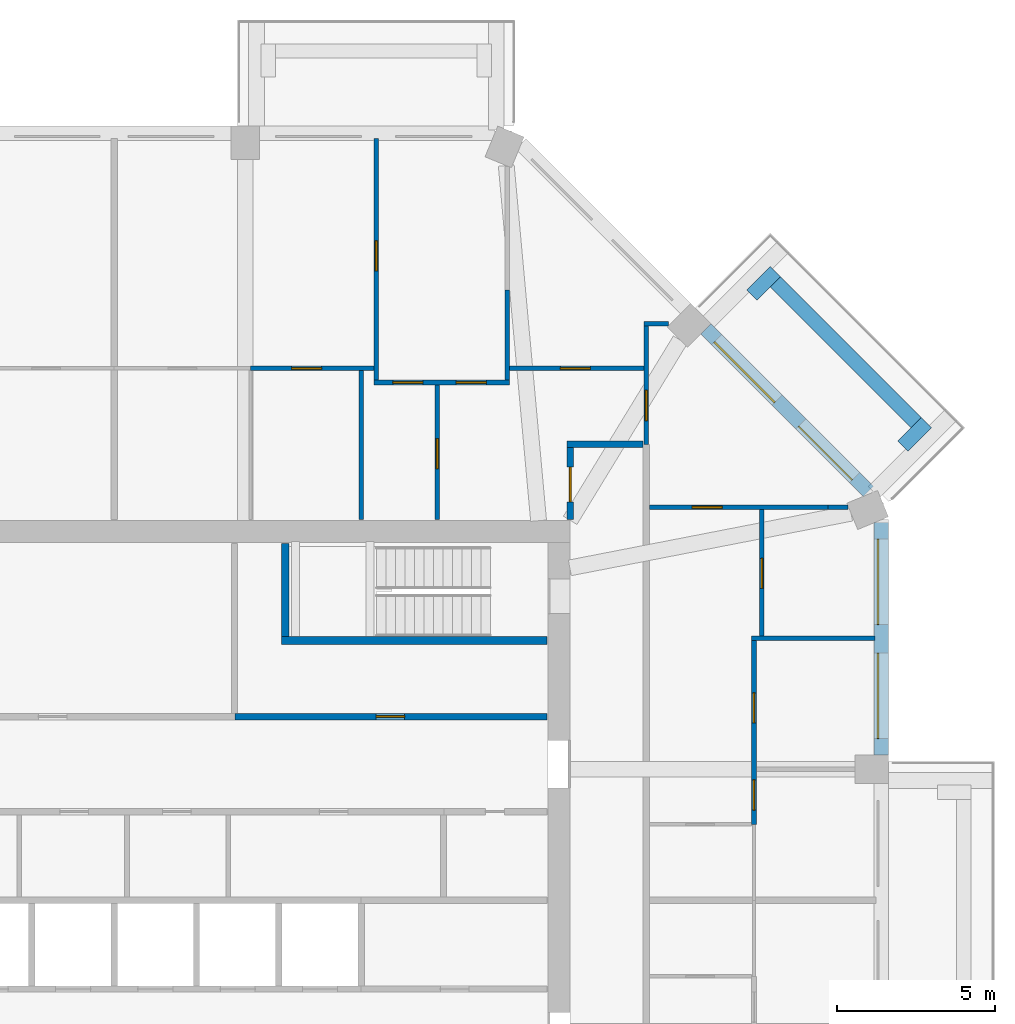
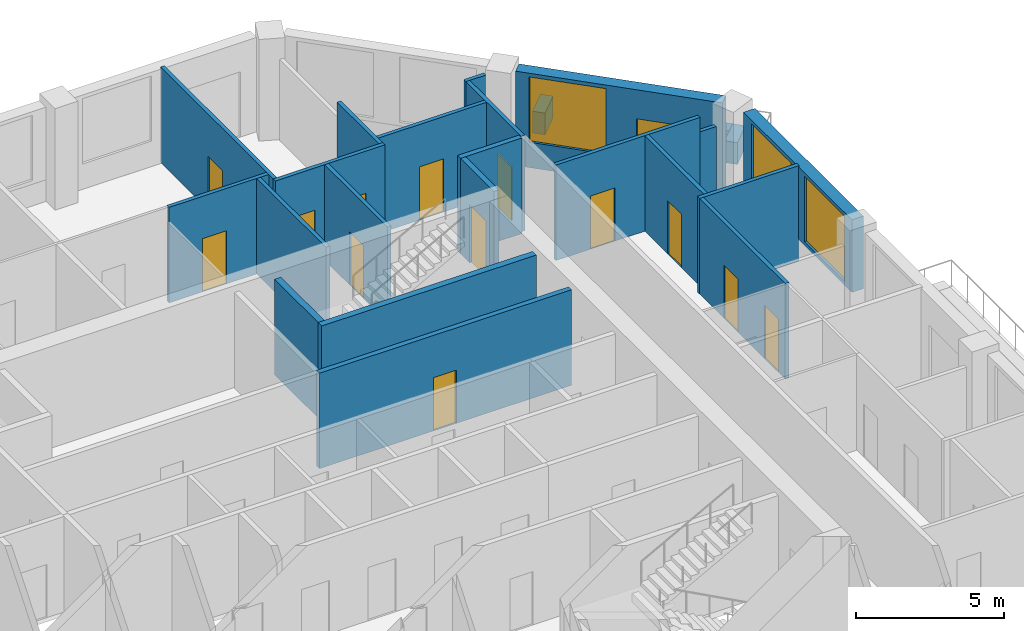
# One storey, part 9 of 12: 24 walls, 14 doors, 3 windows, 17 openings.
"""IFC4 building model written with IfcOpenShell, lengths in metres."""

from ifc_helpers import new_model, si_unit, direction, frame, frame_2d, origin, place, context, subcontext, project, spatial, rectangle, extrude, material, layer, layer_set, type_object, element, fill, save


model = new_model("IFC4")

# Units and contexts
model_context = context("Model", 3, precision=1e-05, world=origin(), true_north=direction((0.0, 1.0)))
body_context = subcontext(model_context, "Body", "Model", "MODEL_VIEW")
ifc_project = project(units=[si_unit("LENGTHUNIT", "METRE"), si_unit("AREAUNIT", "SQUARE_METRE"), si_unit("VOLUMEUNIT", "CUBIC_METRE"), si_unit("PLANEANGLEUNIT", "RADIAN"), si_unit("MASSUNIT", "GRAM", prefix="KILO")], contexts=[model_context])

# Site, building, storey
site_placement = place(None, origin())
site = spatial("IfcSite", under=ifc_project, at=site_placement, CompositionType="ELEMENT")
building_placement = place(site_placement, origin())
building = spatial("IfcBuilding", under=site, at=building_placement, Name="Msitu Wima Residences", CompositionType="ELEMENT")
storey_placement = place(building_placement, frame((0.0, 0.0, 174.89990234375)))
storey = spatial("IfcBuildingStorey", under=building, at=storey_placement, Name="L40", CompositionType="ELEMENT", Elevation=174.89990234375)

# Walls
ifc_material_1 = material(Name="Facing brick")
ifc_layer_1 = layer(ifc_material_1, 0.06494140625, Name="Facing brick")
ifc_material_2 = material(Name="Concrete C40/50", Category="concrete")
ifc_layer_2 = layer(ifc_material_2, 0.156005859375, Name="Concrete C40/50")
ifc_material_3 = material(Name="Waterproofing membrane")
ifc_layer_3 = layer(ifc_material_3, 0.00390625, Name="Waterproofing membrane")
ifc_material_4 = material(Name="Planting soil and planting")
ifc_layer_4 = layer(ifc_material_4, 0.22509765625, Name="Planting soil and planting")
ifc_layer_set_1 = layer_set([ifc_layer_1, ifc_layer_2, ifc_layer_3, ifc_layer_4], Name="Concrete C40/50")
wall_type_1 = type_object("IfcWallType", Name="Balcony planter PLANTER PL450", PredefinedType="USERDEFINED", material=ifc_layer_set_1)
wall_1_placement = place(storey_placement, frame((25.325927734375, 15.0810546875, 0.0), z_axis=(0.0, 0.0, 1.0), x_axis=(-0.707106781187, 0.707106781187, 0.0)))
element("IfcWall", 1, at=wall_1_placement, inside=storey, type_object=wall_type_1, Name="Balcony planter NE0 L40", ObjectType="PLANTER", PredefinedType="USERDEFINED", context=body_context, shape_type="SweptSolid", body=[
    extrude(rectangle(XDim=6.294189453125, YDim=0.449951171875, at=frame_2d((3.14697265625, 0.0))), origin(), (0.0, 0.0, 1.0), 0.900146484375),
])
for number, where, z_axis, x_axis, name in (
    (2, (24.901611328125, 14.338623046875, 0.0), (0.0, 0.0, 1.0), (0.707106781187, 0.707106781187, 0.0), "Balcony planter NE0 L40"),
    (3, (20.1328125, 19.107421875, 0.0), (0.0, 0.0, 1.0), (0.707106781187, 0.707106781187, 0.0), "Balcony planter NE0 L40"),
):
    element("IfcWall", number, at=place(storey_placement, frame(where, z_axis=z_axis, x_axis=x_axis)), inside=storey, type_object=wall_type_1, Name=name, ObjectType="PLANTER", PredefinedType="USERDEFINED", context=body_context, shape_type="SweptSolid", body=[
        extrude(rectangle(XDim=1.050048828125, YDim=0.449951171875, at=frame_2d((0.52490234375, 0.0))), origin(), (0.0, 0.0, 1.0), 0.900146484375),
    ])

# Wall, openings, windows
ifc_material_5 = material(Name="Brick (red buff mix)", Category="masonry")
ifc_layer_5 = layer(ifc_material_5, 0.449951171875)
ifc_layer_set_2 = layer_set([ifc_layer_5], Name="Brick (red buff mix)")
wall_type_2 = type_object("IfcWallType", Name="Brick infill wall BW450", PredefinedType="SOLIDWALL", material=ifc_layer_set_2)
wall_2_placement = place(storey_placement, frame((24.22509765625, 4.587158203125, 0.900146484375), z_axis=(0.0, 0.0, 1.0), x_axis=(0.0, 1.0, 0.0)))
wall_2 = element("IfcWall", 4, at=wall_2_placement, inside=storey, type_object=wall_type_2, Name="Brick infill wall L40 E2", PredefinedType="SOLIDWALL", context=body_context, shape_type="SweptSolid", body=[
    extrude(rectangle(XDim=7.337646484375, YDim=0.449951171875, at=frame_2d((3.6689453125, 0.0))), origin(), (0.0, 0.0, 1.0), 3.0),
])
opening_1_placement = place(wall_2_placement, frame((0.518798828125, 0.0, 0.14990234375)))
opening_1 = element("IfcOpeningElement", 5, at=opening_1_placement, cuts=wall_2, Name="Opening W40-42.004", PredefinedType="OPENING", context=body_context, shape_type="SweptSolid", body=[
    extrude(rectangle(XDim=2.699951171875, YDim=2.699951171875, at=frame_2d((1.35009765625, 1.35009765625))), frame((0.0, 0.23486328125, 0.0), z_axis=(0.0, -1.0, 0.0), x_axis=(1.0, 0.0, 0.0)), (0.0, 0.0, 1.0), 0.469970703125),
])
opening_2_placement = place(wall_2_placement, frame((4.11865234375, 0.0, 0.14990234375)))
opening_2 = element("IfcOpeningElement", 6, at=opening_2_placement, cuts=wall_2, Name="Opening W40-42.005", PredefinedType="OPENING", context=body_context, shape_type="SweptSolid", body=[
    extrude(rectangle(XDim=2.699951171875, YDim=2.699951171875, at=frame_2d((1.35009765625, 1.35009765625))), frame((0.0, 0.23486328125, 0.0), z_axis=(0.0, -1.0, 0.0), x_axis=(1.0, 0.0, 0.0)), (0.0, 0.0, 1.0), 0.469970703125),
])
ifc_material_6 = material(Name="Anodised aluminium, bronze finish, clear low-emissivity double glazing", Category="aluminium")
window_type = type_object("IfcWindowType", Name="Window W2700x2700", PartitioningType="DOUBLE_PANEL_VERTICAL", PredefinedType="WINDOW", material=ifc_material_6)
window_1_placement = place(opening_1_placement, origin())
window_1 = element("IfcWindow", 7, at=window_1_placement, inside=storey, type_object=window_type, Name="Window L40 E2.1", OverallHeight=2.699951171875, OverallWidth=2.699951171875, PartitioningType="SINGLE_PANEL", PredefinedType="WINDOW", context=body_context, shape_type="SweptSolid", body=[
    extrude(rectangle(XDim=2.699951171875, YDim=2.699951171875, at=frame_2d((1.35009765625, 1.35009765625))), frame((0.0, 0.135009765625, 0.0), z_axis=(0.0, -1.0, 0.0), x_axis=(1.0, 0.0, 0.0)), (0.0, 0.0, 1.0), 0.06005859375),
])
fill(opening_1, window_1)
window_2_placement = place(opening_2_placement, origin())
window_2 = element("IfcWindow", 8, at=window_2_placement, inside=storey, type_object=window_type, Name="Window L40 E2.2", OverallHeight=2.699951171875, OverallWidth=2.699951171875, PartitioningType="SINGLE_PANEL", PredefinedType="WINDOW", context=body_context, shape_type="SweptSolid", body=[
    extrude(rectangle(XDim=2.699951171875, YDim=2.699951171875, at=frame_2d((1.35009765625, 1.35009765625))), frame((0.0, 0.135009765625, 0.0), z_axis=(0.0, -1.0, 0.0), x_axis=(1.0, 0.0, 0.0)), (0.0, 0.0, 1.0), 0.06005859375),
])
fill(opening_2, window_2)

# Wall, openings, door, window
wall_3_placement = place(storey_placement, frame((23.814697265625, 12.915283203125, 0.0), z_axis=(0.0, 0.0, 1.0), x_axis=(-0.707106781187, 0.707106781187, 0.0)))
wall_3 = element("IfcWall", 9, at=wall_3_placement, inside=storey, type_object=wall_type_2, Name="Brick infill wall L40 NE0", PredefinedType="SOLIDWALL", context=body_context, shape_type="SweptSolid", body=[
    extrude(rectangle(XDim=7.257080078125, YDim=0.449951171875, at=frame_2d((3.62841796875, 0.0))), origin(), (0.0, 0.0, 1.0), 3.900146484375),
])
opening_3_placement = place(wall_3_placement, frame((0.6142578125, 0.0, 0.0)))
opening_3 = element("IfcOpeningElement", 10, at=opening_3_placement, cuts=wall_3, Name="Opening D40-42.004", PredefinedType="OPENING", context=body_context, shape_type="SweptSolid", body=[
    extrude(rectangle(XDim=2.39990234375, YDim=2.699951171875, at=frame_2d((1.199951171875, 1.35009765625))), frame((0.0, 0.23486328125, 0.0), z_axis=(0.0, -1.0, 0.0), x_axis=(1.0, 0.0, 0.0)), (0.0, 0.0, 1.0), 0.469970703125),
])
opening_4_placement = place(wall_3_placement, frame((4.07861328125, 0.0, 1.050048828125)))
opening_4 = element("IfcOpeningElement", 11, at=opening_4_placement, cuts=wall_3, Name="Opening W40-42.010", PredefinedType="OPENING", context=body_context, shape_type="SweptSolid", body=[
    extrude(rectangle(XDim=2.699951171875, YDim=2.699951171875, at=frame_2d((1.35009765625, 1.35009765625))), frame((0.0, 0.23486328125, 0.0), z_axis=(0.0, -1.0, 0.0), x_axis=(1.0, 0.0, 0.0)), (0.0, 0.0, 1.0), 0.469970703125),
])
door_type_1 = type_object("IfcDoorType", Name="Balcony door D2400x2700", OperationType="SLIDING_TO_LEFT", PredefinedType="DOOR", material=ifc_material_6)
door_1_placement = place(opening_3_placement, origin())
door_1 = element("IfcDoor", 12, at=door_1_placement, inside=storey, type_object=door_type_1, Name="Balcony door L40 NE0", OperationType="SINGLE_SWING_LEFT", OverallHeight=2.699951171875, OverallWidth=2.39990234375, PredefinedType="DOOR", context=body_context, shape_type="SweptSolid", body=[
    extrude(rectangle(XDim=2.39990234375, YDim=2.699951171875, at=frame_2d((1.199951171875, 1.35009765625))), frame((0.0, 0.1298828125, 0.0), z_axis=(0.0, -1.0, 0.0), x_axis=(1.0, 0.0, 0.0)), (0.0, 0.0, 1.0), 0.050048828125),
])
fill(opening_3, door_1)
window_3_placement = place(opening_4_placement, origin())
window_3 = element("IfcWindow", 13, at=window_3_placement, inside=storey, type_object=window_type, Name="Window L40 NE0.2", OverallHeight=2.699951171875, OverallWidth=2.699951171875, PartitioningType="SINGLE_PANEL", PredefinedType="WINDOW", context=body_context, shape_type="SweptSolid", body=[
    extrude(rectangle(XDim=2.699951171875, YDim=2.699951171875, at=frame_2d((1.35009765625, 1.35009765625))), frame((0.0, 0.135009765625, 0.0), z_axis=(0.0, -1.0, 0.0), x_axis=(1.0, 0.0, 0.0)), (0.0, 0.0, 1.0), 0.06005859375),
])
fill(opening_4, window_3)

# Wall, opening, door
ifc_material_7 = material(Name="Plaster")
ifc_layer_6 = layer(ifc_material_7, 0.011962890625, Name="Plaster")
ifc_material_8 = material(Name="Concrete blockwork", Category="masonry")
ifc_layer_7 = layer(ifc_material_8, 0.176025390625, Name="Concrete blockwork")
ifc_layer_8 = layer(ifc_material_7, 0.011962890625, Name="Plaster")
ifc_layer_set_3 = layer_set([ifc_layer_6, ifc_layer_7, ifc_layer_8], Name="Concrete blockwork")
wall_type_3 = type_object("IfcWallType", Name="Corridor wall FW200", PredefinedType="PARTITIONING", material=ifc_layer_set_3)
wall_4_placement = place(storey_placement, frame((14.39990234375, 12.030029296875, 0.0), z_axis=(0.0, 0.0, 1.0), x_axis=(0.0, 1.0, 0.0)))
wall_4 = element("IfcWall", 14, at=wall_4_placement, inside=storey, type_object=wall_type_3, Name="Corridor wall", PredefinedType="PARTITIONING", context=body_context, shape_type="SweptSolid", body=[
    extrude(rectangle(XDim=2.27001953125, YDim=0.199951171875, at=frame_2d((1.135009765625, 0.0))), origin(), (0.0, 0.0, 1.0), 3.9501953125),
])
opening_5_placement = place(wall_4_placement, frame((0.550048828125, 0.0, 0.0)))
opening_5 = element("IfcOpeningElement", 15, at=opening_5_placement, cuts=wall_4, Name="Opening D40-42.011", PredefinedType="OPENING", context=body_context, shape_type="SweptSolid", body=[
    extrude(rectangle(XDim=1.10009765625, YDim=2.39990234375, at=frame_2d((0.550048828125, 1.199951171875))), frame((0.0, 0.10986328125, 0.0), z_axis=(0.0, -1.0, 0.0), x_axis=(1.0, 0.0, 0.0)), (0.0, 0.0, 1.0), 0.219970703125),
])
ifc_material_9 = material(Name="Timber flush door, fire resisting, self-closing", Category="wood")
door_type_2 = type_object("IfcDoorType", Name="Flat entrance door D01 1100x2400", OperationType="SINGLE_SWING_LEFT", PredefinedType="DOOR", material=ifc_material_9)
door_2_placement = place(opening_5_placement, origin())
door_2 = element("IfcDoor", 16, at=door_2_placement, inside=storey, type_object=door_type_2, Name="Flat entrance door", OperationType="SINGLE_SWING_LEFT", OverallHeight=2.39990234375, OverallWidth=1.10009765625, PredefinedType="DOOR", context=body_context, shape_type="SweptSolid", body=[
    extrude(rectangle(XDim=1.10009765625, YDim=2.39990234375, at=frame_2d((0.550048828125, 1.199951171875))), frame((0.0, 0.02490234375, 0.0), z_axis=(0.0, -1.0, 0.0), x_axis=(1.0, 0.0, 0.0)), (0.0, 0.0, 1.0), 0.050048828125),
])
fill(opening_5, door_2)

# Wall
wall_5_placement = place(storey_placement, frame((14.300048828125, 14.39990234375, 0.0), z_axis=(0.0, 0.0, 1.0), x_axis=(1.0, 0.0, 0.0)))
element("IfcWall", 17, at=wall_5_placement, inside=storey, type_object=wall_type_3, Name="Corridor wall", PredefinedType="PARTITIONING", context=body_context, shape_type="SweptSolid", body=[
    extrude(rectangle(XDim=2.39990234375, YDim=0.199951171875, at=frame_2d((1.199951171875, 0.0))), origin(), (0.0, 0.0, 1.0), 3.9501953125),
])

# Wall, opening, door
ifc_layer_9 = layer(ifc_material_7, 0.011962890625, Name="Plaster")
ifc_layer_10 = layer(ifc_material_8, 0.1259765625, Name="Concrete blockwork")
ifc_layer_11 = layer(ifc_material_7, 0.011962890625, Name="Plaster")
ifc_layer_set_4 = layer_set([ifc_layer_9, ifc_layer_10, ifc_layer_11], Name="Concrete blockwork")
wall_type_4 = type_object("IfcWallType", Name="Partition PW150", PredefinedType="PARTITIONING", material=ifc_layer_set_4)
wall_6_placement = place(storey_placement, frame((4.300048828125, 16.800048828125, 0.0), z_axis=(0.0, 0.0, 1.0), x_axis=(1.0, 0.0, 0.0)))
wall_6 = element("IfcWall", 18, at=wall_6_placement, inside=storey, type_object=wall_type_4, Name="Partition", PredefinedType="PARTITIONING", context=body_context, shape_type="SweptSolid", body=[
    extrude(rectangle(XDim=3.8994140625, YDim=0.14990234375, at=frame_2d((1.94970703125, 0.0))), origin(), (0.0, 0.0, 1.0), 3.9501953125),
])
opening_6_placement = place(wall_6_placement, frame((1.300048828125, 0.0, 0.0)))
opening_6 = element("IfcOpeningElement", 19, at=opening_6_placement, cuts=wall_6, Name="Opening D40-42.014", PredefinedType="OPENING", context=body_context, shape_type="SweptSolid", body=[
    extrude(rectangle(XDim=0.949951171875, YDim=2.199951171875, at=frame_2d((0.47509765625, 1.10009765625))), frame((0.0, 0.0849609375, 0.0), z_axis=(0.0, -1.0, 0.0), x_axis=(1.0, 0.0, 0.0)), (0.0, 0.0, 1.0), 0.169921875),
])
ifc_material_10 = material(Name="Timber flush door", Category="wood")
door_type_3 = type_object("IfcDoorType", Name="Room door D12 950x2200", OperationType="SINGLE_SWING_LEFT", PredefinedType="DOOR", material=ifc_material_10)
door_3_placement = place(opening_6_placement, origin())
door_3 = element("IfcDoor", 20, at=door_3_placement, inside=storey, type_object=door_type_3, Name="Room door", OperationType="SINGLE_SWING_RIGHT", OverallHeight=2.199951171875, OverallWidth=0.949951171875, PredefinedType="DOOR", context=body_context, shape_type="SweptSolid", body=[
    extrude(rectangle(XDim=0.949951171875, YDim=2.199951171875, at=frame_2d((0.47509765625, 1.10009765625))), frame((0.0, 0.02490234375, 0.0), z_axis=(0.0, -1.0, 0.0), x_axis=(1.0, 0.0, 0.0)), (0.0, 0.0, 1.0), 0.050048828125),
])
fill(opening_6, door_3)

# Wall
wall_7_placement = place(storey_placement, frame((7.800048828125, 12.030029296875, 0.0), z_axis=(0.0, 0.0, 1.0), x_axis=(0.0, 1.0, 0.0)))
element("IfcWall", 21, at=wall_7_placement, inside=storey, type_object=wall_type_4, Name="Partition", PredefinedType="PARTITIONING", context=body_context, shape_type="SweptSolid", body=[
    extrude(rectangle(XDim=4.695068359375, YDim=0.14990234375, at=frame_2d((2.34765625, 0.0))), origin(), (0.0, 0.0, 1.0), 3.9501953125),
])

# Wall, opening, door
wall_8_placement = place(storey_placement, frame((8.2744140625, 16.425048828125, 0.0), z_axis=(0.0, 0.0, 1.0), x_axis=(0.0, 1.0, 0.0)))
wall_8 = element("IfcWall", 22, at=wall_8_placement, inside=storey, type_object=wall_type_4, Name="Partition", PredefinedType="PARTITIONING", context=body_context, shape_type="SweptSolid", body=[
    extrude(rectangle(XDim=7.6298828125, YDim=0.14990234375, at=frame_2d((3.81494140625, 0.0))), origin(), (0.0, 0.0, 1.0), 3.9501953125),
])
opening_7_placement = place(wall_8_placement, frame((3.449951171875, 0.0, 0.0)))
opening_7 = element("IfcOpeningElement", 23, at=opening_7_placement, cuts=wall_8, Name="Opening D40-42.020", PredefinedType="OPENING", context=body_context, shape_type="SweptSolid", body=[
    extrude(rectangle(XDim=0.949951171875, YDim=2.199951171875, at=frame_2d((0.47509765625, 1.10009765625))), frame((0.0, 0.0849609375, 0.0), z_axis=(0.0, -1.0, 0.0), x_axis=(1.0, 0.0, 0.0)), (0.0, 0.0, 1.0), 0.169921875),
])
door_4_placement = place(opening_7_placement, origin())
door_4 = element("IfcDoor", 24, at=door_4_placement, inside=storey, type_object=door_type_3, Name="Room door", OperationType="SINGLE_SWING_RIGHT", OverallHeight=2.199951171875, OverallWidth=0.949951171875, PredefinedType="DOOR", context=body_context, shape_type="SweptSolid", body=[
    extrude(rectangle(XDim=0.949951171875, YDim=2.199951171875, at=frame_2d((0.47509765625, 1.10009765625))), frame((0.0, 0.02490234375, 0.0), z_axis=(0.0, -1.0, 0.0), x_axis=(1.0, 0.0, 0.0)), (0.0, 0.0, 1.0), 0.050048828125),
])
fill(opening_7, door_4)

# Wall, openings, doors
wall_9_placement = place(storey_placement, frame((8.199462890625, 16.35009765625, 0.0), z_axis=(0.0, 0.0, 1.0), x_axis=(1.0, 0.0, 0.0)))
wall_9 = element("IfcWall", 25, at=wall_9_placement, inside=storey, type_object=wall_type_4, Name="Partition", PredefinedType="PARTITIONING", context=body_context, shape_type="SweptSolid", body=[
    extrude(rectangle(XDim=4.287353515625, YDim=0.14990234375, at=frame_2d((2.1435546875, 0.0))), origin(), (0.0, 0.0, 1.0), 3.9501953125),
])
opening_8_placement = place(wall_9_placement, frame((2.60009765625, 0.0, 0.0)))
opening_8 = element("IfcOpeningElement", 26, at=opening_8_placement, cuts=wall_9, Name="Opening D40-42.017", PredefinedType="OPENING", context=body_context, shape_type="SweptSolid", body=[
    extrude(rectangle(XDim=0.949951171875, YDim=2.199951171875, at=frame_2d((0.47509765625, 1.10009765625))), frame((0.0, 0.0849609375, 0.0), z_axis=(0.0, -1.0, 0.0), x_axis=(1.0, 0.0, 0.0)), (0.0, 0.0, 1.0), 0.169921875),
])
opening_9_placement = place(wall_9_placement, frame((0.60009765625, 0.0, 0.0)))
opening_9 = element("IfcOpeningElement", 27, at=opening_9_placement, cuts=wall_9, Name="Opening D40-42.016", PredefinedType="OPENING", context=body_context, shape_type="SweptSolid", body=[
    extrude(rectangle(XDim=0.949951171875, YDim=2.199951171875, at=frame_2d((0.47509765625, 1.10009765625))), frame((0.0, 0.0849609375, 0.0), z_axis=(0.0, -1.0, 0.0), x_axis=(1.0, 0.0, 0.0)), (0.0, 0.0, 1.0), 0.169921875),
])
door_5_placement = place(opening_8_placement, origin())
door_5 = element("IfcDoor", 28, at=door_5_placement, inside=storey, type_object=door_type_3, Name="Room door", OperationType="SINGLE_SWING_RIGHT", OverallHeight=2.199951171875, OverallWidth=0.949951171875, PredefinedType="DOOR", context=body_context, shape_type="SweptSolid", body=[
    extrude(rectangle(XDim=0.949951171875, YDim=2.199951171875, at=frame_2d((0.47509765625, 1.10009765625))), frame((0.0, 0.02490234375, 0.0), z_axis=(0.0, -1.0, 0.0), x_axis=(1.0, 0.0, 0.0)), (0.0, 0.0, 1.0), 0.050048828125),
])
fill(opening_8, door_5)
door_6_placement = place(opening_9_placement, origin())
door_6 = element("IfcDoor", 29, at=door_6_placement, inside=storey, type_object=door_type_3, Name="Room door", OperationType="SINGLE_SWING_LEFT", OverallHeight=2.199951171875, OverallWidth=0.949951171875, PredefinedType="DOOR", context=body_context, shape_type="SweptSolid", body=[
    extrude(rectangle(XDim=0.949951171875, YDim=2.199951171875, at=frame_2d((0.47509765625, 1.10009765625))), frame((0.0, 0.02490234375, 0.0), z_axis=(0.0, -1.0, 0.0), x_axis=(1.0, 0.0, 0.0)), (0.0, 0.0, 1.0), 0.050048828125),
])
fill(opening_9, door_6)

# Wall, opening, door
wall_10_placement = place(storey_placement, frame((10.199951171875, 12.030029296875, 0.0), z_axis=(0.0, 0.0, 1.0), x_axis=(0.0, 1.0, 0.0)))
wall_10 = element("IfcWall", 30, at=wall_10_placement, inside=storey, type_object=wall_type_4, Name="Partition", PredefinedType="PARTITIONING", context=body_context, shape_type="SweptSolid", body=[
    extrude(rectangle(XDim=4.244873046875, YDim=0.14990234375, at=frame_2d((2.12255859375, 0.0))), origin(), (0.0, 0.0, 1.0), 3.9501953125),
])
opening_10_placement = place(wall_10_placement, frame((1.60009765625, 0.0, 0.0)))
opening_10 = element("IfcOpeningElement", 31, at=opening_10_placement, cuts=wall_10, Name="Opening D40-42.012", PredefinedType="OPENING", context=body_context, shape_type="SweptSolid", body=[
    extrude(rectangle(XDim=0.949951171875, YDim=2.199951171875, at=frame_2d((0.47509765625, 1.10009765625))), frame((0.0, 0.0849609375, 0.0), z_axis=(0.0, -1.0, 0.0), x_axis=(1.0, 0.0, 0.0)), (0.0, 0.0, 1.0), 0.169921875),
])
door_7_placement = place(opening_10_placement, origin())
door_7 = element("IfcDoor", 32, at=door_7_placement, inside=storey, type_object=door_type_3, Name="Room door", OperationType="SINGLE_SWING_LEFT", OverallHeight=2.199951171875, OverallWidth=0.949951171875, PredefinedType="DOOR", context=body_context, shape_type="SweptSolid", body=[
    extrude(rectangle(XDim=0.949951171875, YDim=2.199951171875, at=frame_2d((0.47509765625, 1.10009765625))), frame((0.0, 0.02490234375, 0.0), z_axis=(0.0, -1.0, 0.0), x_axis=(1.0, 0.0, 0.0)), (0.0, 0.0, 1.0), 0.050048828125),
])
fill(opening_10, door_7)

# Wall
wall_11_placement = place(storey_placement, frame((12.411865234375, 16.425048828125, 0.0), z_axis=(0.0, 0.0, 1.0), x_axis=(0.0, 1.0, 0.0)))
element("IfcWall", 33, at=wall_11_placement, inside=storey, type_object=wall_type_4, Name="Partition", PredefinedType="PARTITIONING", context=body_context, shape_type="SweptSolid", body=[
    extrude(rectangle(XDim=2.845458984375, YDim=0.14990234375, at=frame_2d((1.4228515625, 0.0))), origin(), (0.0, 0.0, 1.0), 3.9501953125),
])

# Wall, opening, door
wall_12_placement = place(storey_placement, frame((12.48681640625, 16.800048828125, 0.0), z_axis=(0.0, 0.0, 1.0), x_axis=(1.0, 0.0, 0.0)))
wall_12 = element("IfcWall", 34, at=wall_12_placement, inside=storey, type_object=wall_type_4, Name="Partition", PredefinedType="PARTITIONING", context=body_context, shape_type="SweptSolid", body=[
    extrude(rectangle(XDim=4.23828125, YDim=0.14990234375, at=frame_2d((2.119140625, 0.0))), origin(), (0.0, 0.0, 1.0), 3.9501953125),
])
opening_11_placement = place(wall_12_placement, frame((1.60009765625, 0.0, 0.0)))
opening_11 = element("IfcOpeningElement", 35, at=opening_11_placement, cuts=wall_12, Name="Opening D40-42.018", PredefinedType="OPENING", context=body_context, shape_type="SweptSolid", body=[
    extrude(rectangle(XDim=0.949951171875, YDim=2.199951171875, at=frame_2d((0.47509765625, 1.10009765625))), frame((0.0, 0.0849609375, 0.0), z_axis=(0.0, -1.0, 0.0), x_axis=(1.0, 0.0, 0.0)), (0.0, 0.0, 1.0), 0.169921875),
])
door_8_placement = place(opening_11_placement, origin())
door_8 = element("IfcDoor", 36, at=door_8_placement, inside=storey, type_object=door_type_3, Name="Room door", OperationType="SINGLE_SWING_LEFT", OverallHeight=2.199951171875, OverallWidth=0.949951171875, PredefinedType="DOOR", context=body_context, shape_type="SweptSolid", body=[
    extrude(rectangle(XDim=0.949951171875, YDim=2.199951171875, at=frame_2d((0.47509765625, 1.10009765625))), frame((0.0, 0.02490234375, 0.0), z_axis=(0.0, -1.0, 0.0), x_axis=(1.0, 0.0, 0.0)), (0.0, 0.0, 1.0), 0.050048828125),
])
fill(opening_11, door_8)

wall_13_placement = place(storey_placement, frame((16.89990234375, 12.411865234375, 0.0), z_axis=(0.0, 0.0, 1.0), x_axis=(1.0, 0.0, 0.0)))
wall_13 = element("IfcWall", 37, at=wall_13_placement, inside=storey, type_object=wall_type_4, Name="Partition", PredefinedType="PARTITIONING", context=body_context, shape_type="SweptSolid", body=[
    extrude(rectangle(XDim=5.638427734375, YDim=0.14990234375, at=frame_2d((2.8193359375, 0.0))), origin(), (0.0, 0.0, 1.0), 3.9501953125),
])
opening_12_placement = place(wall_13_placement, frame((1.35009765625, 0.0, 0.0)))
opening_12 = element("IfcOpeningElement", 38, at=opening_12_placement, cuts=wall_13, Name="Opening D40-42.021", PredefinedType="OPENING", context=body_context, shape_type="SweptSolid", body=[
    extrude(rectangle(XDim=0.949951171875, YDim=2.199951171875, at=frame_2d((0.47509765625, 1.10009765625))), frame((0.0, 0.0849609375, 0.0), z_axis=(0.0, -1.0, 0.0), x_axis=(1.0, 0.0, 0.0)), (0.0, 0.0, 1.0), 0.169921875),
])
door_9_placement = place(opening_12_placement, origin())
door_9 = element("IfcDoor", 39, at=door_9_placement, inside=storey, type_object=door_type_3, Name="Room door", OperationType="SINGLE_SWING_LEFT", OverallHeight=2.199951171875, OverallWidth=0.949951171875, PredefinedType="DOOR", context=body_context, shape_type="SweptSolid", body=[
    extrude(rectangle(XDim=0.949951171875, YDim=2.199951171875, at=frame_2d((0.47509765625, 1.10009765625))), frame((0.0, 0.02490234375, 0.0), z_axis=(0.0, -1.0, 0.0), x_axis=(1.0, 0.0, 0.0)), (0.0, 0.0, 1.0), 0.050048828125),
])
fill(opening_12, door_9)

# Wall
wall_14_placement = place(storey_placement, frame((22.538330078125, 12.411865234375, 0.0), z_axis=(0.0, 0.0, 1.0), x_axis=(1.0, 0.0, 0.0)))
element("IfcWall", 40, at=wall_14_placement, inside=storey, type_object=wall_type_4, Name="Partition", PredefinedType="PARTITIONING", context=body_context, shape_type="SweptSolid", body=[
    extrude(rectangle(XDim=0.630615234375, YDim=0.14990234375, at=frame_2d((0.3154296875, 0.0))), origin(), (0.0, 0.0, 1.0), 3.35009765625),
])

# Wall, opening, door
wall_15_placement = place(storey_placement, frame((16.800048828125, 14.39990234375, 0.0), z_axis=(0.0, 0.0, 1.0), x_axis=(0.0, 1.0, 0.0)))
wall_15 = element("IfcWall", 41, at=wall_15_placement, inside=storey, type_object=wall_type_4, Name="Partition", PredefinedType="PARTITIONING", context=body_context, shape_type="SweptSolid", body=[
    extrude(rectangle(XDim=3.73095703125, YDim=0.14990234375, at=frame_2d((1.865478515625, 0.0))), origin(), (0.0, 0.0, 1.0), 3.9501953125),
])
opening_13_placement = place(wall_15_placement, frame((0.75, 0.0, 0.0)))
opening_13 = element("IfcOpeningElement", 42, at=opening_13_placement, cuts=wall_15, Name="Opening D40-42.019", PredefinedType="OPENING", context=body_context, shape_type="SweptSolid", body=[
    extrude(rectangle(XDim=0.949951171875, YDim=2.199951171875, at=frame_2d((0.47509765625, 1.10009765625))), frame((0.0, 0.0849609375, 0.0), z_axis=(0.0, -1.0, 0.0), x_axis=(1.0, 0.0, 0.0)), (0.0, 0.0, 1.0), 0.169921875),
])
door_10_placement = place(opening_13_placement, origin())
door_10 = element("IfcDoor", 43, at=door_10_placement, inside=storey, type_object=door_type_3, Name="Room door", OperationType="SINGLE_SWING_LEFT", OverallHeight=2.199951171875, OverallWidth=0.949951171875, PredefinedType="DOOR", context=body_context, shape_type="SweptSolid", body=[
    extrude(rectangle(XDim=0.949951171875, YDim=2.199951171875, at=frame_2d((0.47509765625, 1.10009765625))), frame((0.0, 0.02490234375, 0.0), z_axis=(0.0, -1.0, 0.0), x_axis=(1.0, 0.0, 0.0)), (0.0, 0.0, 1.0), 0.050048828125),
])
fill(opening_13, door_10)

# Wall
wall_16_placement = place(storey_placement, frame((16.72509765625, 18.205810546875, 0.0), z_axis=(0.0, 0.0, 1.0), x_axis=(1.0, 0.0, 0.0)))
element("IfcWall", 44, at=wall_16_placement, inside=storey, type_object=wall_type_4, Name="Partition", PredefinedType="PARTITIONING", context=body_context, shape_type="SweptSolid", body=[
    extrude(rectangle(XDim=0.784423828125, YDim=0.14990234375, at=frame_2d((0.39208984375, 0.0))), origin(), (0.0, 0.0, 1.0), 3.9501953125),
])

# Wall, openings, doors
wall_17_placement = place(storey_placement, frame((20.199951171875, 2.39990234375, 0.0), z_axis=(0.0, 0.0, 1.0), x_axis=(0.0, 1.0, 0.0)))
wall_17 = element("IfcWall", 45, at=wall_17_placement, inside=storey, type_object=wall_type_4, Name="Partition", PredefinedType="PARTITIONING", context=body_context, shape_type="SweptSolid", body=[
    extrude(rectangle(XDim=5.799560546875, YDim=0.14990234375, at=frame_2d((2.89990234375, 0.0))), origin(), (0.0, 0.0, 1.0), 3.9501953125),
])
opening_14_placement = place(wall_17_placement, frame((0.449951171875, 0.0, 0.0)))
opening_14 = element("IfcOpeningElement", 46, at=opening_14_placement, cuts=wall_17, Name="Opening D40-42.022", PredefinedType="OPENING", context=body_context, shape_type="SweptSolid", body=[
    extrude(rectangle(XDim=0.949951171875, YDim=2.199951171875, at=frame_2d((0.47509765625, 1.10009765625))), frame((0.0, 0.0849609375, 0.0), z_axis=(0.0, -1.0, 0.0), x_axis=(1.0, 0.0, 0.0)), (0.0, 0.0, 1.0), 0.169921875),
])
opening_15_placement = place(wall_17_placement, frame((3.199951171875, 0.0, 0.0)))
opening_15 = element("IfcOpeningElement", 47, at=opening_15_placement, cuts=wall_17, Name="Opening D40-42.023", PredefinedType="OPENING", context=body_context, shape_type="SweptSolid", body=[
    extrude(rectangle(XDim=0.949951171875, YDim=2.199951171875, at=frame_2d((0.47509765625, 1.10009765625))), frame((0.0, 0.0849609375, 0.0), z_axis=(0.0, -1.0, 0.0), x_axis=(1.0, 0.0, 0.0)), (0.0, 0.0, 1.0), 0.169921875),
])
door_11_placement = place(opening_14_placement, origin())
door_11 = element("IfcDoor", 48, at=door_11_placement, inside=storey, type_object=door_type_3, Name="Room door", OperationType="SINGLE_SWING_LEFT", OverallHeight=2.199951171875, OverallWidth=0.949951171875, PredefinedType="DOOR", context=body_context, shape_type="SweptSolid", body=[
    extrude(rectangle(XDim=0.949951171875, YDim=2.199951171875, at=frame_2d((0.47509765625, 1.10009765625))), frame((0.0, 0.02490234375, 0.0), z_axis=(0.0, -1.0, 0.0), x_axis=(1.0, 0.0, 0.0)), (0.0, 0.0, 1.0), 0.050048828125),
])
fill(opening_14, door_11)
door_12_placement = place(opening_15_placement, origin())
door_12 = element("IfcDoor", 49, at=door_12_placement, inside=storey, type_object=door_type_3, Name="Room door", OperationType="SINGLE_SWING_RIGHT", OverallHeight=2.199951171875, OverallWidth=0.949951171875, PredefinedType="DOOR", context=body_context, shape_type="SweptSolid", body=[
    extrude(rectangle(XDim=0.949951171875, YDim=2.199951171875, at=frame_2d((0.47509765625, 1.10009765625))), frame((0.0, 0.02490234375, 0.0), z_axis=(0.0, -1.0, 0.0), x_axis=(1.0, 0.0, 0.0)), (0.0, 0.0, 1.0), 0.050048828125),
])
fill(opening_15, door_12)

# Wall
wall_18_placement = place(storey_placement, frame((20.125, 8.2744140625, 0.0), z_axis=(0.0, 0.0, 1.0), x_axis=(1.0, 0.0, 0.0)))
element("IfcWall", 50, at=wall_18_placement, inside=storey, type_object=wall_type_4, Name="Partition", PredefinedType="PARTITIONING", context=body_context, shape_type="SweptSolid", body=[
    extrude(rectangle(XDim=3.89990234375, YDim=0.14990234375, at=frame_2d((1.949951171875, 0.0))), origin(), (0.0, 0.0, 1.0), 3.9501953125),
])

# Wall, opening, door
wall_19_placement = place(storey_placement, frame((20.449951171875, 8.349609375, 0.0), z_axis=(0.0, 0.0, 1.0), x_axis=(0.0, 1.0, 0.0)))
wall_19 = element("IfcWall", 51, at=wall_19_placement, inside=storey, type_object=wall_type_4, Name="Partition", PredefinedType="PARTITIONING", context=body_context, shape_type="SweptSolid", body=[
    extrude(rectangle(XDim=3.987060546875, YDim=0.14990234375, at=frame_2d((1.99365234375, 0.0))), origin(), (0.0, 0.0, 1.0), 3.9501953125),
])
opening_16_placement = place(wall_19_placement, frame((1.5, 0.0, 0.0)))
opening_16 = element("IfcOpeningElement", 52, at=opening_16_placement, cuts=wall_19, Name="Opening D40-42.024", PredefinedType="OPENING", context=body_context, shape_type="SweptSolid", body=[
    extrude(rectangle(XDim=0.949951171875, YDim=2.199951171875, at=frame_2d((0.47509765625, 1.10009765625))), frame((0.0, 0.0849609375, 0.0), z_axis=(0.0, -1.0, 0.0), x_axis=(1.0, 0.0, 0.0)), (0.0, 0.0, 1.0), 0.169921875),
])
door_13_placement = place(opening_16_placement, origin())
door_13 = element("IfcDoor", 53, at=door_13_placement, inside=storey, type_object=door_type_3, Name="Room door", OperationType="SINGLE_SWING_LEFT", OverallHeight=2.199951171875, OverallWidth=0.949951171875, PredefinedType="DOOR", context=body_context, shape_type="SweptSolid", body=[
    extrude(rectangle(XDim=0.949951171875, YDim=2.199951171875, at=frame_2d((0.47509765625, 1.10009765625))), frame((0.0, 0.02490234375, 0.0), z_axis=(0.0, -1.0, 0.0), x_axis=(1.0, 0.0, 0.0)), (0.0, 0.0, 1.0), 0.050048828125),
])
fill(opening_16, door_13)

ifc_layer_12 = layer(ifc_material_7, 0.011962890625, Name="Plaster")
ifc_material_11 = material(Name="Reinforced concrete blockwork", Category="masonry")
ifc_layer_13 = layer(ifc_material_11, 0.176025390625, Name="Reinforced concrete blockwork")
ifc_layer_14 = layer(ifc_material_7, 0.011962890625, Name="Plaster")
ifc_layer_set_5 = layer_set([ifc_layer_12, ifc_layer_13, ifc_layer_14], Name="Reinforced concrete blockwork")
wall_type_5 = type_object("IfcWallType", Name="Plant and riser wall PL200", PredefinedType="PARTITIONING", material=ifc_layer_set_5)
wall_20_placement = place(storey_placement, frame((3.820068359375, 5.800048828125, 0.0), z_axis=(0.0, 0.0, 1.0), x_axis=(1.0, 0.0, 0.0)))
wall_20 = element("IfcWall", 54, at=wall_20_placement, inside=storey, type_object=wall_type_5, Name="Plant and riser wall", PredefinedType="PARTITIONING", context=body_context, shape_type="SweptSolid", body=[
    extrude(rectangle(XDim=9.849853515625, YDim=0.199951171875, at=frame_2d((4.9248046875, 0.0))), origin(), (0.0, 0.0, 1.0), 3.9501953125),
])
opening_17_placement = place(wall_20_placement, frame((4.449951171875, 0.0, 0.0)))
opening_17 = element("IfcOpeningElement", 55, at=opening_17_placement, cuts=wall_20, Name="Opening D40-42.073", PredefinedType="OPENING", context=body_context, shape_type="SweptSolid", body=[
    extrude(rectangle(XDim=0.89990234375, YDim=2.199951171875, at=frame_2d((0.449951171875, 1.10009765625))), frame((0.0, 0.10986328125, 0.0), z_axis=(0.0, -1.0, 0.0), x_axis=(1.0, 0.0, 0.0)), (0.0, 0.0, 1.0), 0.219970703125),
])
door_type_4 = type_object("IfcDoorType", Name="Service door D05 900x2200", OperationType="SINGLE_SWING_LEFT", PredefinedType="DOOR", material=ifc_material_10)
door_14_placement = place(opening_17_placement, origin())
door_14 = element("IfcDoor", 56, at=door_14_placement, inside=storey, type_object=door_type_4, Name="Service door", OperationType="SINGLE_SWING_LEFT", OverallHeight=2.199951171875, OverallWidth=0.89990234375, PredefinedType="DOOR", context=body_context, shape_type="SweptSolid", body=[
    extrude(rectangle(XDim=0.89990234375, YDim=2.199951171875, at=frame_2d((0.449951171875, 1.10009765625))), frame((0.0, 0.02490234375, 0.0), z_axis=(0.0, -1.0, 0.0), x_axis=(1.0, 0.0, 0.0)), (0.0, 0.0, 1.0), 0.050048828125),
])
fill(opening_17, door_14)

# Walls
ifc_material_12 = material(Name="Concrete C50/60", Category="concrete")
ifc_layer_15 = layer(ifc_material_12, 0.25)
ifc_layer_set_6 = layer_set([ifc_layer_15], Name="Concrete C50/60")
wall_type_6 = type_object("IfcWallType", Name="Stair enclosure wall SW250", PredefinedType="SHEAR", material=ifc_layer_set_6)
wall_21_placement = place(storey_placement, frame((5.39990234375, 8.324951171875, 0.0), z_axis=(0.0, 0.0, 1.0), x_axis=(0.0, 1.0, 0.0)))
element("IfcWall", 57, at=wall_21_placement, inside=storey, type_object=wall_type_6, Name="Stair enclosure wall", PredefinedType="SHEAR", context=body_context, shape_type="SweptSolid", body=[
    extrude(rectangle(XDim=2.945068359375, YDim=0.25, at=frame_2d((1.47265625, 0.0))), origin(), (0.0, 0.0, 1.0), 3.9501953125),
])
wall_22_placement = place(storey_placement, frame((5.27490234375, 8.199951171875, 0.0), z_axis=(0.0, 0.0, 1.0), x_axis=(1.0, 0.0, 0.0)))
element("IfcWall", 58, at=wall_22_placement, inside=storey, type_object=wall_type_6, Name="Stair enclosure wall", PredefinedType="SHEAR", context=body_context, shape_type="SweptSolid", body=[
    extrude(rectangle(XDim=8.39501953125, YDim=0.25, at=frame_2d((4.197509765625, 0.0))), origin(), (0.0, 0.0, 1.0), 3.9501953125),
])

save(model, "model.ifc")
